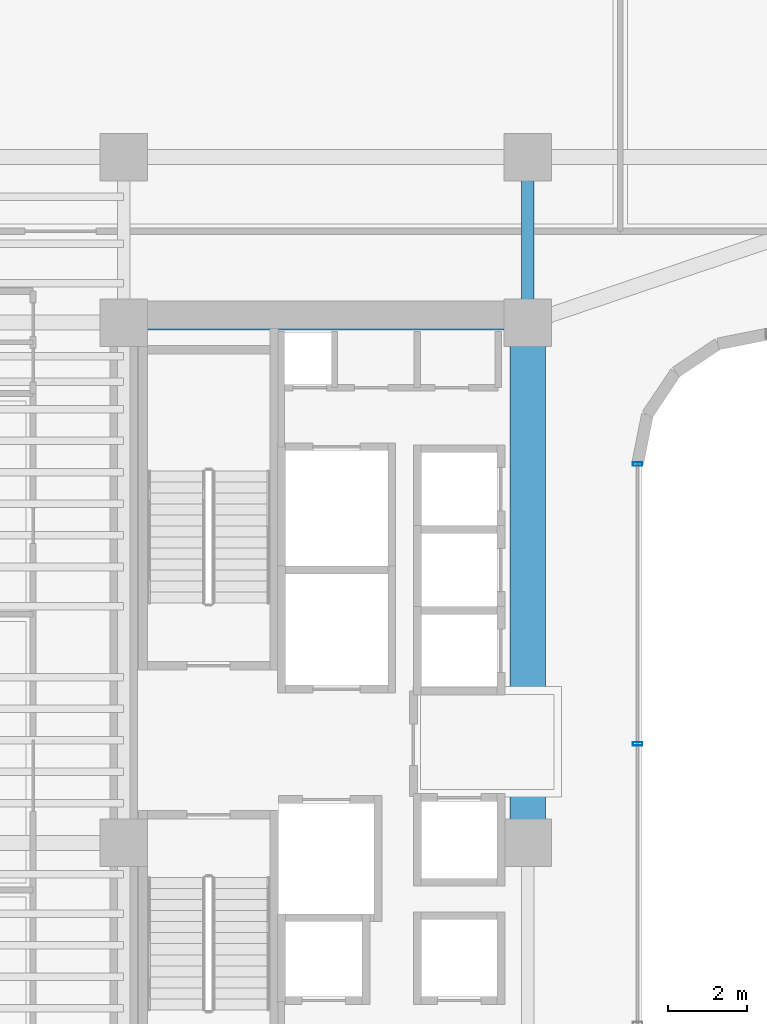
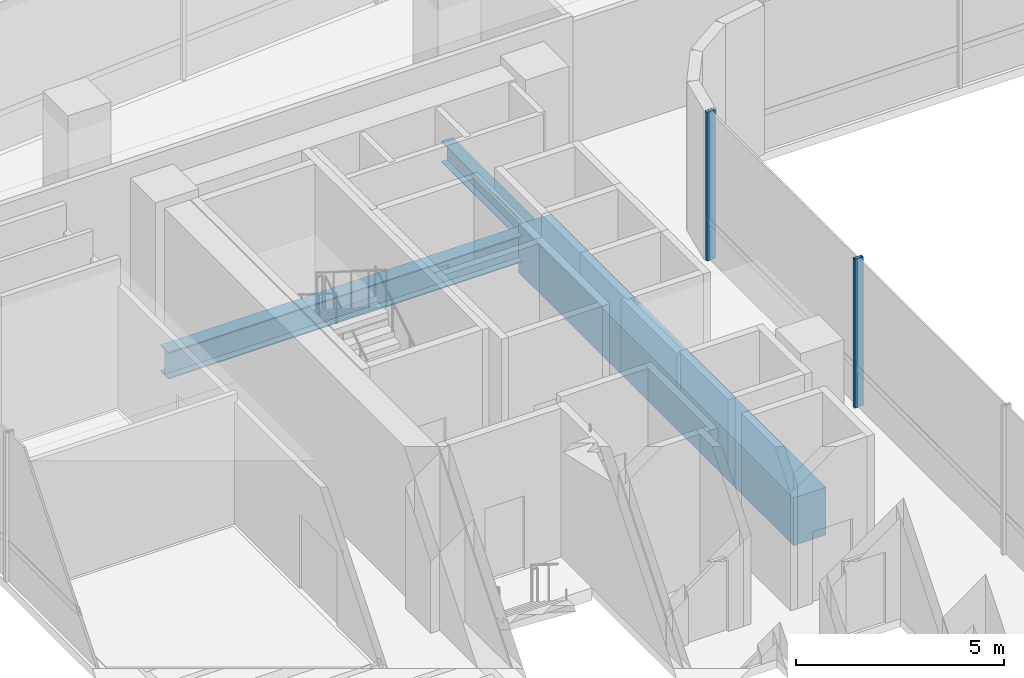
# One storey, part 9 of 32: 3 beams, 2 members, 1 element without a shape of its own.
"""IFC4 building model written with IfcOpenShell, lengths in metres."""

from ifc_helpers import new_model, si_unit, direction, frame, origin, origin_2d, place, context, subcontext, project, spatial, rectangle, hollow_rectangle, i_section, extrude, source, transform, mapped, material, material_profile, profile_set, type_object, element, aggregate, save


model = new_model("IFC4")

# Units and contexts
model_context = context("Model", 3, precision=1e-05, world=origin(), true_north=direction((0.0, 1.0)))
body_context = subcontext(model_context, "Body", "Model", "MODEL_VIEW")
ifc_project = project(units=[si_unit("LENGTHUNIT", "METRE"), si_unit("AREAUNIT", "SQUARE_METRE"), si_unit("VOLUMEUNIT", "CUBIC_METRE"), si_unit("PLANEANGLEUNIT", "RADIAN"), si_unit("MASSUNIT", "GRAM", prefix="KILO")], contexts=[model_context])

# Site, building, storey
site_placement = place(None, origin())
site = spatial("IfcSite", under=ifc_project, at=site_placement, CompositionType="ELEMENT")
building_placement = place(site_placement, origin())
building = spatial("IfcBuilding", under=site, at=building_placement, Name="Valdorenza Pilgrim Sanctuary Tower", CompositionType="ELEMENT")
storey_placement = place(building_placement, frame((0.0, 0.0, 101.10009765625)))
storey = spatial("IfcBuildingStorey", under=building, at=storey_placement, Name="L25", CompositionType="ELEMENT", Elevation=101.10009765625)

# Beams
ifc_material_1 = material(Name="Concrete C60/75", Category="concrete")
ifc_material_profile_1 = material_profile(ifc_material_1, rectangle(XDim=0.89990234375, YDim=1.39990234375, at=origin_2d()), Name="RC 1400x900")
ifc_profile_set_1 = profile_set([ifc_material_profile_1], Name="Concrete C60/75")
beam_type_1 = type_object("IfcBeamType", Name="STR-BM-LNT-1400", PredefinedType="LINTEL", material=ifc_profile_set_1)
shared_shape_1 = source(origin(), body_context, "Body", "SweptSolid", [
    extrude(rectangle(XDim=0.89990234375, YDim=1.39990234375, at=origin_2d()), origin(), (0.0, 0.0, 1.0), 13.2001953125),
])
beam_1_placement = place(storey_placement, frame((-12.39990234375, -2.60009765625, -0.739990234375), z_axis=(0.0, 1.0, 0.0), x_axis=(-1.0, 0.0, 0.0)))
element("IfcBeam", 1, at=beam_1_placement, inside=storey, type_object=beam_type_1, Name="L25 Core A Coupling Lintel Girder", PredefinedType="LINTEL", context=body_context, shape_type="MappedRepresentation", body=[
    mapped(shared_shape_1, transform((0.0, 0.0, 0.0), x_axis=(1.0, 0.0, 0.0), y_axis=(0.0, 1.0, 0.0), z_axis=(0.0, 0.0, 1.0), scale=1.0)),
])
ifc_material_2 = material(Name="Steel ASTM A992 Grade 50", Category="steel")
ifc_material_profile_2 = material_profile(ifc_material_2, i_section(OverallWidth=0.323974609375, OverallDepth=0.611083984375, WebThickness=0.0126953125, FlangeThickness=0.01904296875, at=origin_2d()), Name="W24X104")
ifc_profile_set_2 = profile_set([ifc_material_profile_2], Name="Steel ASTM A992 Grade 50")
beam_type_2 = type_object("IfcBeamType", Name="STR-BM-GRD-W24B", PredefinedType="BEAM", material=ifc_profile_set_2)
shared_shape_2 = source(origin(), body_context, "Body", "SweptSolid", [
    extrude(i_section(OverallWidth=0.323974609375, OverallDepth=0.611083984375, WebThickness=0.0126953125, FlangeThickness=0.01904296875, at=origin_2d()), origin(), (0.0, 0.0, 1.0), 4.199951171875),
])
beam_2_placement = place(storey_placement, frame((-12.39990234375, 10.60009765625, -0.545654296875), z_axis=(0.0, 1.0, 0.0), x_axis=(-1.0, 0.0, 0.0)))
element("IfcBeam", 2, at=beam_2_placement, inside=storey, type_object=beam_type_2, Name="L25 Core Tie Girder CA-E-N1N2", PredefinedType="BEAM", context=body_context, shape_type="MappedRepresentation", body=[
    mapped(shared_shape_2, transform((0.0, 0.0, 0.0), x_axis=(1.0, 0.0, 0.0), y_axis=(0.0, 1.0, 0.0), z_axis=(0.0, 0.0, 1.0), scale=1.0)),
])
ifc_material_profile_3 = material_profile(ifc_material_2, i_section(OverallWidth=0.382080078125, OverallDepth=0.779052734375, WebThickness=0.01806640625, FlangeThickness=0.030029296875, at=origin_2d()), Name="W30X191")
ifc_profile_set_3 = profile_set([ifc_material_profile_3], Name="Steel ASTM A992 Grade 50")
beam_type_3 = type_object("IfcBeamType", Name="STR-BM-GRD-W30", PredefinedType="BEAM", material=ifc_profile_set_3)
shared_shape_3 = source(origin(), body_context, "Body", "SweptSolid", [
    extrude(i_section(OverallWidth=0.382080078125, OverallDepth=0.779052734375, WebThickness=0.01806640625, FlangeThickness=0.030029296875, at=origin_2d()), origin(), (0.0, 0.0, 1.0), 10.25),
])
beam_3_placement = place(storey_placement, frame((-22.64990234375, 10.60009765625, -0.629638671875), z_axis=(1.0, 0.0, 0.0), x_axis=(0.0, 1.0, 0.0)))
element("IfcBeam", 3, at=beam_3_placement, inside=storey, type_object=beam_type_3, Name="L25 Floor Girder CA-XC-N1", PredefinedType="BEAM", context=body_context, shape_type="MappedRepresentation", body=[
    mapped(shared_shape_3, transform((0.0, 0.0, 0.0), x_axis=(1.0, 0.0, 0.0), y_axis=(0.0, 1.0, 0.0), z_axis=(0.0, 0.0, 1.0), scale=1.0)),
])

# Curtain wall, members
ifc_material_3 = material(Name="Curtain-wall IGU glazing", Category="glass")
curtain_wall_type = type_object("IfcCurtainWallType", Name="CW-SYS-04", PredefinedType="NOTDEFINED", material=ifc_material_3)
curtain_wall_placement = place(storey_placement, origin())
curtain_wall = element("IfcCurtainWall", 4, at=curtain_wall_placement, inside=storey, type_object=curtain_wall_type, Name="L25 Curtain Wall CW-L25-1-41", PredefinedType="NOTDEFINED")
ifc_material_4 = material(Name="Anodised aluminium AW-6060", Category="aluminium")
ifc_material_profile_4 = material_profile(ifc_material_4, hollow_rectangle(XDim=0.090087890625, YDim=0.239990234375, WallThickness=0.0048828125, at=origin_2d()), Name="ALU-M 240x90x5")
ifc_profile_set_4 = profile_set([ifc_material_profile_4], Name="Anodised aluminium AW-6060")
member_type = type_object("IfcMemberType", Name="CW-MUL-04", PredefinedType="MULLION", material=ifc_profile_set_4)
shared_shape_4 = source(origin(), body_context, "Body", "SweptSolid", [
    extrude(hollow_rectangle(XDim=0.090087890625, YDim=0.239990234375, WallThickness=0.0048828125, at=origin_2d()), origin(), (0.0, 0.0, 1.0), 4.35986328125),
])
member_1_placement = place(storey_placement, frame((-9.610107421875, 7.0107421875, 0.0), z_axis=(0.0, 0.0, 1.0), x_axis=(0.0, -1.0, 0.0)))
member_1 = element("IfcMember", 5, at=member_1_placement, type_object=member_type, Name="CW-L25-1-41 Mullion 1", PredefinedType="MULLION", context=body_context, shape_type="MappedRepresentation", body=[
    mapped(shared_shape_4, transform((0.0, 0.0, 0.0), x_axis=(1.0, 0.0, 0.0), y_axis=(0.0, 1.0, 0.0), z_axis=(0.0, 0.0, 1.0), scale=1.0)),
])
member_2_placement = place(storey_placement, frame((-9.610107421875, -0.089111328125, 0.0), z_axis=(0.0, 0.0, 1.0), x_axis=(0.0, -1.0, 0.0)))
member_2 = element("IfcMember", 6, at=member_2_placement, type_object=member_type, Name="CW-L25-1-41 Mullion 2", PredefinedType="MULLION", context=body_context, shape_type="MappedRepresentation", body=[
    mapped(shared_shape_4, transform((0.0, 0.0, 0.0), x_axis=(1.0, 0.0, 0.0), y_axis=(0.0, 1.0, 0.0), z_axis=(0.0, 0.0, 1.0), scale=1.0)),
])
aggregate(curtain_wall, [member_1, member_2])

save(model, "model.ifc")
